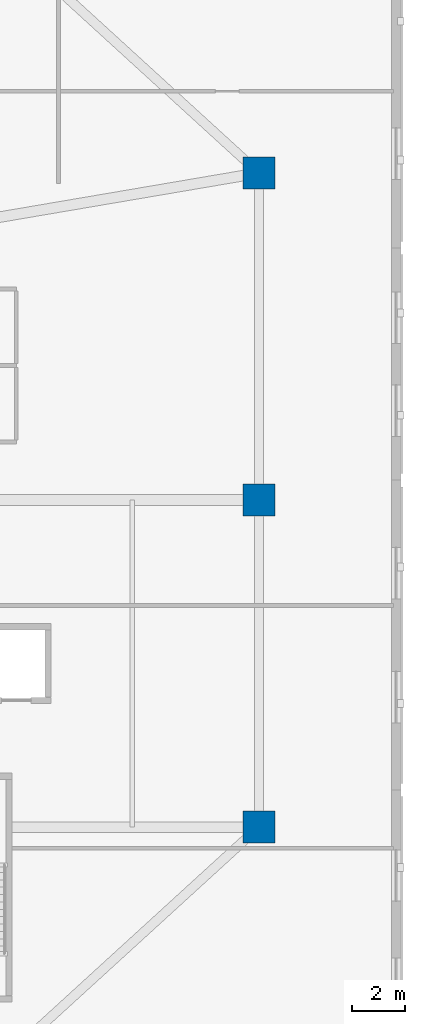
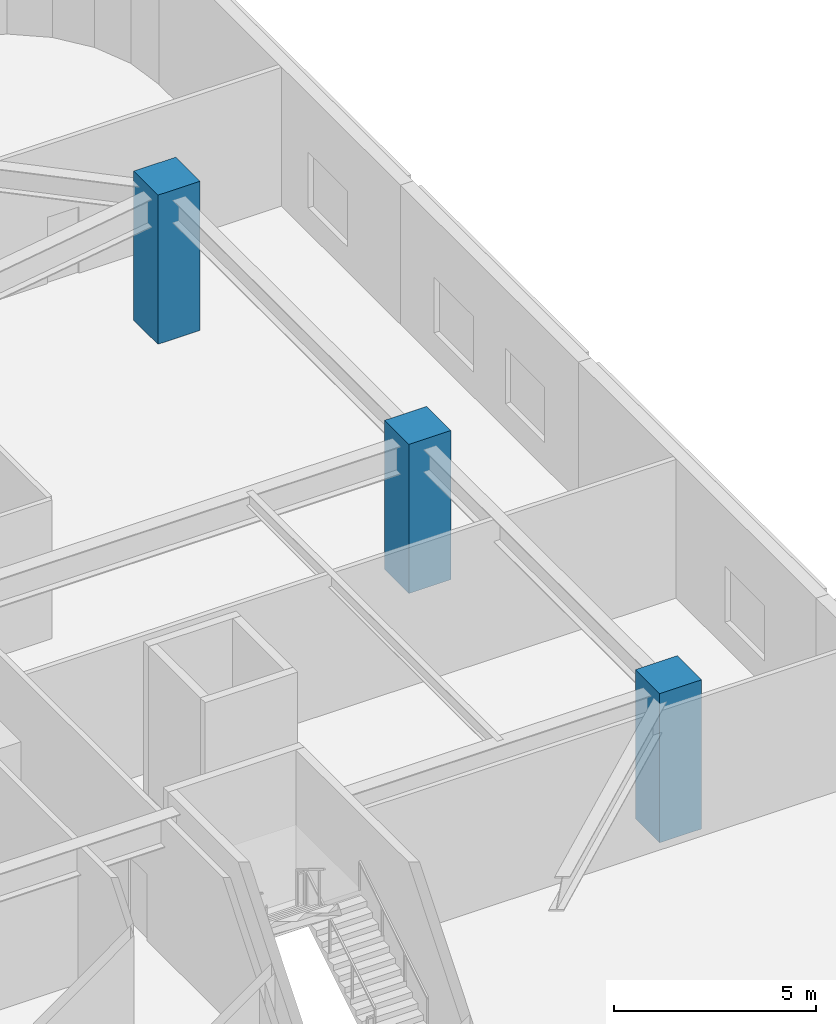
# One storey, part 2 of 25: 3 columns.
"""IFC4 building model written with IfcOpenShell, lengths in metres."""

import ifcopenshell
import ifcopenshell.guid

model = None  # the IFC model being written
_history = None  # IfcOwnerHistory: only IFC2X3 demands one
_inside = {}  # id of a spatial element -> (the spatial element, [elements in it])
_under = {}  # id of a project, library or spatial element -> (it, [spatial elements below it])
_declared = {}  # id of a project -> (the project, [libraries it declares])
_typed = {}  # id of a type object -> (the type object, [elements of that type])
_made_of = {}  # id of a material, layer set ... -> (it, [elements and type objects made of it])


def new_model(schema):
    """Start an empty IFC model of exactly this schema.

    Asked for "IFC4X3", IfcOpenShell would pick the latest addendum, in which some entities
    have other attributes; the version numbers below select the first issue.
    IFC2X3 requires an IfcOwnerHistory on every rooted entity: one is made here for all.
    """
    global model, _history
    if schema == "IFC4X3":
        model = ifcopenshell.file(schema_version=(4, 3, 0, 0))
    else:
        model = ifcopenshell.file(schema=schema)
    _inside.clear()
    _under.clear()
    _declared.clear()
    _typed.clear()
    _made_of.clear()
    _history = None
    if model.schema == "IFC2X3":
        org = make("IfcOrganization", Name="unknown")
        user = make(
            "IfcPersonAndOrganization",
            ThePerson=make("IfcPerson", FamilyName="unknown"),
            TheOrganization=org,
        )
        app = make(
            "IfcApplication",
            ApplicationDeveloper=org,
            Version="unknown",
            ApplicationFullName="unknown",
            ApplicationIdentifier="unknown",
        )
        _history = make(
            "IfcOwnerHistory",
            OwningUser=user,
            OwningApplication=app,
            ChangeAction="ADDED",
            CreationDate=0,
        )
    return model


def make(cls, **values):
    """One entity of the class cls with the attributes given. An attribute that is None is left unset."""
    return model.create_entity(
        cls, **{name: value for name, value in values.items() if value is not None}
    )


def rooted(cls, **values):
    """An entity with a GlobalId (a new one), such as an element, a storey or a relation."""
    return make(cls, GlobalId=ifcopenshell.guid.new(), OwnerHistory=_history, **values)


def si_unit(unit_type, name, prefix=None):
    """IfcSIUnit, for example si_unit("LENGTHUNIT", "METRE", prefix="MILLI")."""
    return make("IfcSIUnit", UnitType=unit_type, Prefix=prefix, Name=name)


def assignment(units):
    """IfcUnitAssignment: the units of a project."""
    return None if units is None else make("IfcUnitAssignment", Units=units)


def point(xyz):
    """IfcCartesianPoint."""
    return None if xyz is None else make("IfcCartesianPoint", Coordinates=xyz)


def direction(xyz):
    """IfcDirection."""
    return None if xyz is None else make("IfcDirection", DirectionRatios=xyz)


def frame(location, z_axis=None, x_axis=None):
    """IfcAxis2Placement3D, a coordinate frame: its origin and axes. An axis left out is left unset."""
    return make(
        "IfcAxis2Placement3D",
        Location=point(location),
        Axis=direction(z_axis),
        RefDirection=direction(x_axis),
    )


def frame_2d(location, x_axis=None):
    """IfcAxis2Placement2D, a coordinate frame in the plane: its origin and x axis."""
    return make(
        "IfcAxis2Placement2D", Location=point(location), RefDirection=direction(x_axis)
    )


def origin():
    """The frame at (0, 0, 0) with its axes left unset."""
    return frame((0.0, 0.0, 0.0))


def origin_2d():
    """The frame at (0, 0) in the plane with its x axis left unset."""
    return frame_2d((0.0, 0.0))


def place(relative_to, where):
    """IfcLocalPlacement: puts the frame where relative to a parent placement (None: the world)."""
    return make(
        "IfcLocalPlacement", PlacementRelTo=relative_to, RelativePlacement=where
    )


def context(
    kind, dimensions, precision=None, world=None, true_north=None, identifier=None
):
    """IfcGeometricRepresentationContext, for example the 3D "Model" context."""
    return make(
        "IfcGeometricRepresentationContext",
        ContextIdentifier=identifier,
        ContextType=kind,
        CoordinateSpaceDimension=dimensions,
        Precision=precision,
        WorldCoordinateSystem=world,
        TrueNorth=true_north,
    )


def subcontext(parent, identifier, kind, view, scale=None):
    """IfcGeometricRepresentationSubContext, for example "Body" below "Model"."""
    return make(
        "IfcGeometricRepresentationSubContext",
        ContextIdentifier=identifier,
        ContextType=kind,
        ParentContext=parent,
        TargetScale=scale,
        TargetView=view,
    )


def project(units=None, contexts=None):
    """IfcProject with its units and contexts."""
    return rooted(
        "IfcProject",
        Name="project",
        RepresentationContexts=contexts,
        UnitsInContext=assignment(units),
    )


def spatial(cls, under=None, at=None, **own):
    """A site, building, storey or space (cls), placed at a placement, below another one or the project."""
    s = rooted(cls, ObjectPlacement=at, **own)
    if under is not None:
        _under.setdefault(under.id(), (under, []))[1].append(s)
    return s


def profile(cls, at=None, kind="AREA", **sizes):
    """A parametric profile (cls). Its sizes go by their IFC names, for example OverallWidth=200.0."""
    return make(cls, ProfileType=kind, Position=at, **sizes)


def rectangle(**sizes):
    """IfcRectangleProfileDef."""
    return profile("IfcRectangleProfileDef", **sizes)


def extrude(swept, where, along, depth):
    """IfcExtrudedAreaSolid: the profile swept, set in the frame where, extruded along a direction by depth."""
    return make(
        "IfcExtrudedAreaSolid",
        SweptArea=swept,
        Position=where,
        ExtrudedDirection=direction(along),
        Depth=depth,
    )


def shape(context_of_items, identifier, shape_type, items):
    """IfcShapeRepresentation: the items that make up one representation, for example the "Body"."""
    return make(
        "IfcShapeRepresentation",
        ContextOfItems=context_of_items,
        RepresentationIdentifier=identifier,
        RepresentationType=shape_type,
        Items=items,
    )


def material(Name=None, Category=None):
    """IfcMaterial."""
    return make("IfcMaterial", Name=Name, Category=Category)


def material_profile(
    of_material, cross_section, Name=None, Category=None, Priority=None
):
    """IfcMaterialProfile: a cross section and its material."""
    return make(
        "IfcMaterialProfile",
        Name=Name,
        Material=of_material,
        Profile=cross_section,
        Priority=Priority,
        Category=Category,
    )


def profile_set(profiles, Name=None, composite=None):
    """IfcMaterialProfileSet."""
    return make(
        "IfcMaterialProfileSet",
        Name=Name,
        MaterialProfiles=profiles,
        CompositeProfile=composite,
    )


def made_of(thing, what):
    """Note that an element or type object is made of a material, layer set ...; save() writes the relation."""
    if what is not None:
        _made_of.setdefault(what.id(), (what, []))[1].append(thing)
    return thing


def type_object(cls, material=None, **own):
    """A type object (cls), such as IfcWallType, which elements share."""
    return made_of(rooted(cls, **own), material)


def element(
    cls,
    number,
    at=None,
    inside=None,
    cuts=None,
    type_object=None,
    material=None,
    context=None,
    identifier="Body",
    shape_type=None,
    held_by="IfcProductDefinitionShape",
    body=None,
    shapes=None,
    **own,
):
    """One element of the class cls, such as IfcWall. Its Tag is "e" and its number.

    at: its placement. inside: the storey or other place that contains it. cuts: it is an
    opening in that element (IfcRelVoidsElement). A single representation is given by context,
    identifier, shape_type and body (its items); several are given by shapes. held_by: the class
    of the entity that holds the representations. save() writes the other relations.
    """
    e = rooted(cls, Tag="e%d" % number, ObjectPlacement=at, **own)
    if body is not None:
        shapes = [shape(context, identifier, shape_type, body)]
    if shapes is not None:
        e.Representation = make(held_by, Representations=shapes)
    if inside is not None:
        _inside.setdefault(inside.id(), (inside, []))[1].append(e)
    if cuts is not None:
        rooted(
            "IfcRelVoidsElement", RelatingBuildingElement=cuts, RelatedOpeningElement=e
        )
    if type_object is not None:
        _typed.setdefault(type_object.id(), (type_object, []))[1].append(e)
    return made_of(e, material)


def aggregate(whole, parts):
    """IfcRelAggregates: a whole, such as a stair, and the parts it consists of."""
    return rooted("IfcRelAggregates", RelatingObject=whole, RelatedObjects=parts)


def save(model, path):
    """Write the relations noted so far, then the file.

    IfcRelAggregates (storeys below a building ...), IfcRelContainedInSpatialStructure (elements
    in a storey), IfcRelDefinesByType, IfcRelAssociatesMaterial and IfcRelDeclares: one each for
    every whole, place, type object, material and project.
    """
    for whole, parts in _under.values():
        aggregate(whole, parts)
    for where, things in _inside.values():
        rooted(
            "IfcRelContainedInSpatialStructure",
            RelatedElements=things,
            RelatingStructure=where,
        )
    for kind, things in _typed.values():
        rooted("IfcRelDefinesByType", RelatedObjects=things, RelatingType=kind)
    for what, things in _made_of.values():
        rooted("IfcRelAssociatesMaterial", RelatedObjects=things, RelatingMaterial=what)
    for by, libraries in _declared.values():
        rooted("IfcRelDeclares", RelatingContext=by, RelatedDefinitions=libraries)
    model.write(path)


model = new_model("IFC4")

# Units and contexts
model_context = context("Model", 3, precision=1e-05, world=origin(), true_north=direction((0.0, 1.0)))
body_context = subcontext(model_context, "Body", "Model", "MODEL_VIEW")
ifc_project = project(units=[si_unit("LENGTHUNIT", "METRE"), si_unit("AREAUNIT", "SQUARE_METRE"), si_unit("VOLUMEUNIT", "CUBIC_METRE"), si_unit("PLANEANGLEUNIT", "RADIAN"), si_unit("MASSUNIT", "GRAM", prefix="KILO")], contexts=[model_context])

# Site, building, storey
site_placement = place(None, origin())
site = spatial("IfcSite", under=ifc_project, at=site_placement, CompositionType="ELEMENT")
building_placement = place(site_placement, origin())
building = spatial("IfcBuilding", under=site, at=building_placement, Name="Haldorwick Loom Tower", CompositionType="ELEMENT")
storey_placement = place(building_placement, frame((0.0, 0.0, 10.5)))
storey = spatial("IfcBuildingStorey", under=building, at=storey_placement, Name="L02", CompositionType="ELEMENT", Elevation=10.5)

# Columns
ifc_material = material(Name="Concrete C60 (60 MPa)", Category="concrete")
ifc_material_profile = material_profile(ifc_material, rectangle(XDim=1.199951171875, YDim=1.199951171875, at=origin_2d()), Name="RC1200X1200", Category="concrete")
ifc_profile_set = profile_set([ifc_material_profile], Name="Concrete C60 (60 MPa)")
column_type = type_object("IfcColumnType", Name="STR-COL-RC1200", PredefinedType="COLUMN", material=ifc_profile_set)
for number, where, z_axis, x_axis, name in (
    (1, (66.800048828125, 13.60009765625, 0.0), (0.0, 0.0, 1.0), (1.0, 0.0, 0.0), "L02 Podium Column PC-E1"),
    (2, (66.800048828125, 26.0, 0.0), (0.0, 0.0, 1.0), (1.0, 0.0, 0.0), "L02 Podium Column PC-E2"),
    (3, (66.800048828125, 38.39990234375, 0.0), (0.0, 0.0, 1.0), (1.0, 0.0, 0.0), "L02 Podium Column PC-E3"),
):
    element("IfcColumn", number, at=place(storey_placement, frame(where, z_axis=z_axis, x_axis=x_axis)), inside=storey, type_object=column_type, Name=name, PredefinedType="COLUMN", context=body_context, shape_type="SweptSolid", body=[
        extrude(rectangle(XDim=1.199951171875, YDim=1.199951171875, at=origin_2d()), origin(), (0.0, 0.0, 1.0), 4.5),
    ])

save(model, "model.ifc")
